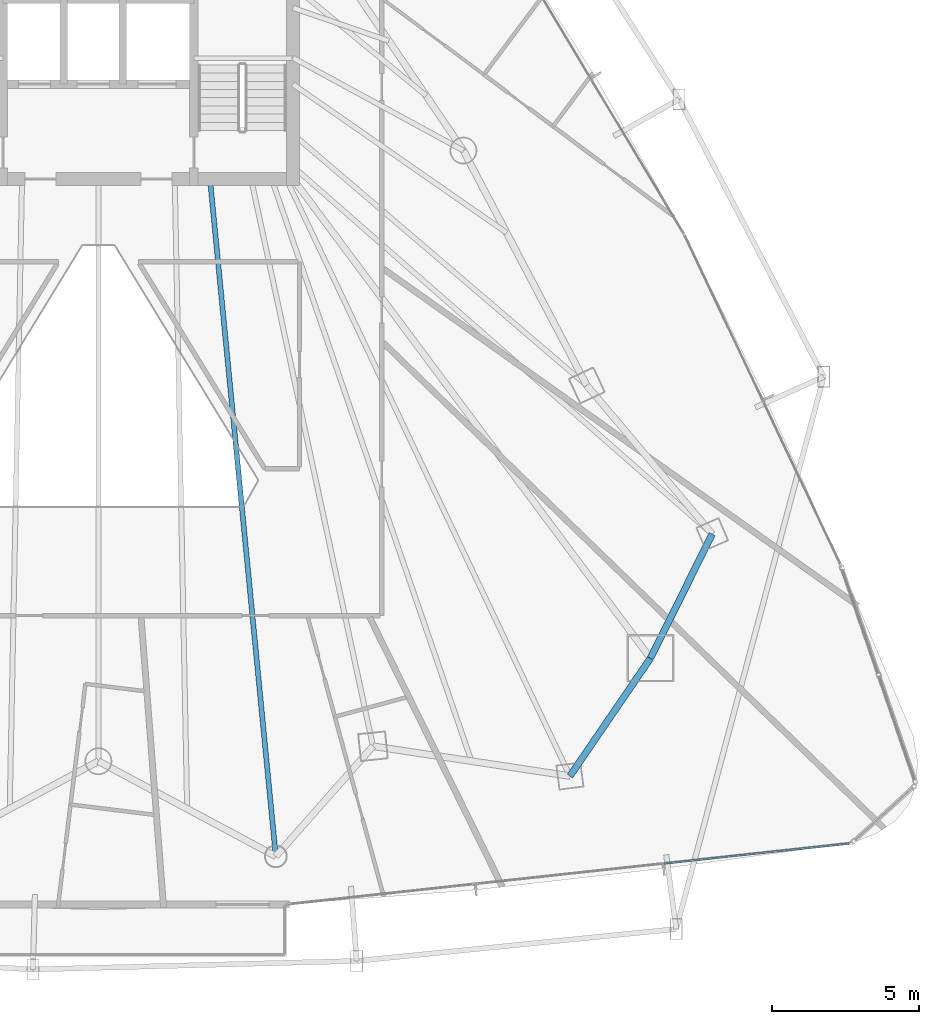
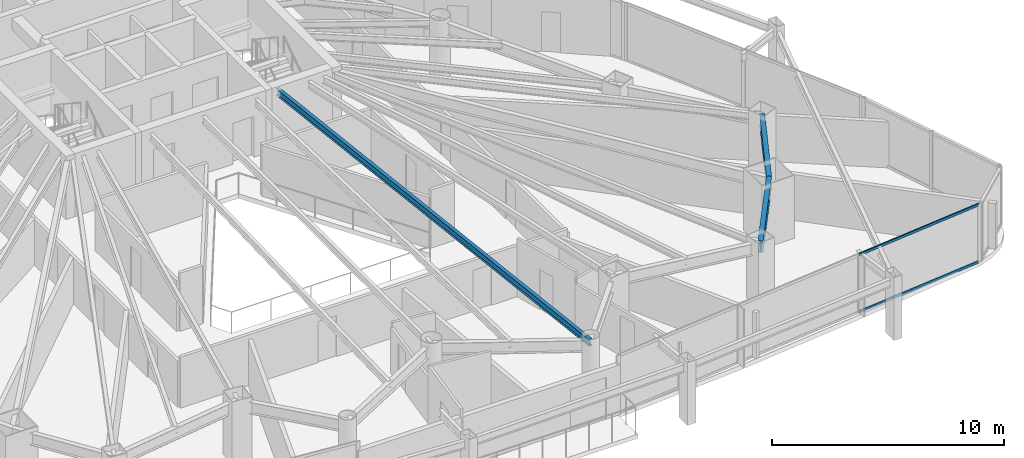
# One storey, part 13 of 34: 3 beams, 2 members, 1 element without a shape of its own.
"""IFC4 building model written with IfcOpenShell, lengths in metres."""

from ifc_helpers import new_model, si_unit, direction, frame, origin, origin_2d, place, context, subcontext, project, spatial, hollow_rectangle, i_section, extrude, material, layer, layer_set, material_profile, profile_set, type_object, element, aggregate, save


model = new_model("IFC4")

# Units and contexts
model_context = context("Model", 3, precision=1e-05, world=origin(), true_north=direction((0.0, 1.0)))
body_context = subcontext(model_context, "Body", "Model", "MODEL_VIEW")
ifc_project = project(units=[si_unit("LENGTHUNIT", "METRE"), si_unit("AREAUNIT", "SQUARE_METRE"), si_unit("VOLUMEUNIT", "CUBIC_METRE"), si_unit("PLANEANGLEUNIT", "RADIAN"), si_unit("MASSUNIT", "GRAM", prefix="KILO")], contexts=[model_context])

# Site, building, storey
site_placement = place(None, origin())
site = spatial("IfcSite", under=ifc_project, at=site_placement, CompositionType="ELEMENT")
building_placement = place(site_placement, origin())
building = spatial("IfcBuilding", under=site, at=building_placement, Name="Orvanel Arch Residences", CompositionType="ELEMENT")
storey_placement = place(building_placement, frame((0.0, 0.0, 64.25)))
storey = spatial("IfcBuildingStorey", under=building, at=storey_placement, Name="L17", CompositionType="ELEMENT", Elevation=64.25)

# Beams
ifc_material_1 = material(Name="Structural steel AS/NZS 3679.1 Grade 300 (300 MPa)", Category="steel")
ifc_material_profile_1 = material_profile(ifc_material_1, i_section(OverallWidth=0.1708984375, OverallDepth=0.35595703125, WebThickness=0.00732421875, FlangeThickness=0.011474609375, at=origin_2d()), Name="360UB50.7")
ifc_profile_set_1 = profile_set([ifc_material_profile_1], Name="Structural steel AS/NZS 3679.1 Grade 300 (300 MPa)")
beam_type_1 = type_object("IfcBeamType", Name="BJ-360UB", PredefinedType="JOIST", material=ifc_profile_set_1)
beam_1_placement = place(storey_placement, frame((36.800048828125, 26.675048828125, 2.882080078125), z_axis=(0.096724091756, -0.995311232768, 0.0), x_axis=(0.995311232768, 0.096724091756, 0.0)))
element("IfcBeam", 1, at=beam_1_placement, inside=storey, type_object=beam_type_1, Name="L17 LSE Wing Floor Joist", PredefinedType="JOIST", context=body_context, shape_type="SweptSolid", body=[
    extrude(i_section(OverallWidth=0.1708984375, OverallDepth=0.35595703125, WebThickness=0.00732421875, FlangeThickness=0.011474609375, at=origin_2d()), origin(), (0.0, 0.0, 1.0), 23.1787109375),
])
ifc_material_profile_2 = material_profile(ifc_material_1, i_section(OverallWidth=0.22900390625, OverallDepth=0.612060546875, WebThickness=0.011962890625, FlangeThickness=0.01953125, at=origin_2d()), Name="610UB125")
ifc_profile_set_2 = profile_set([ifc_material_profile_2], Name="Structural steel AS/NZS 3679.1 Grade 300 (300 MPa)")
beam_type_2 = type_object("IfcBeamType", Name="SP-610UB", PredefinedType="SPANDREL", material=ifc_profile_set_2)
beam_2_placement = place(storey_placement, frame((49.05908203125, 6.339111328125, 2.75390625), z_axis=(0.564251579852, 0.825602903722, 0.0), x_axis=(-0.825602903722, 0.564251579852, 0.0)))
element("IfcBeam", 2, at=beam_2_placement, inside=storey, type_object=beam_type_2, Name="L17 Perimeter Spandrel Beam 10", PredefinedType="SPANDREL", context=body_context, shape_type="SweptSolid", body=[
    extrude(i_section(OverallWidth=0.22900390625, OverallDepth=0.612060546875, WebThickness=0.011962890625, FlangeThickness=0.01953125, at=origin_2d()), origin(), (0.0, 0.0, 1.0), 4.859375),
])
beam_3_placement = place(storey_placement, frame((51.801025390625, 10.35107421875, 2.75390625), z_axis=(0.44543469453, 0.895314432425, 0.0), x_axis=(-0.895314432425, 0.44543469453, 0.0)))
element("IfcBeam", 3, at=beam_3_placement, inside=storey, type_object=beam_type_2, Name="L17 Perimeter Spandrel Beam 11", PredefinedType="SPANDREL", context=body_context, shape_type="SweptSolid", body=[
    extrude(i_section(OverallWidth=0.22900390625, OverallDepth=0.612060546875, WebThickness=0.011962890625, FlangeThickness=0.01953125, at=origin_2d()), origin(), (0.0, 0.0, 1.0), 4.723388671875),
])

# Curtain wall, members
ifc_material_2 = material(Name="Bronze-anodised aluminium AA6063-T6", Category="aluminium")
ifc_layer = layer(ifc_material_2, 0.179931640625)
ifc_layer_set = layer_set([ifc_layer], Name="Bronze-anodised aluminium AA6063-T6")
curtain_wall_type = type_object("IfcCurtainWallType", Name="CW2-LOW-SYS", PredefinedType="NOTDEFINED", material=ifc_layer_set)
curtain_wall_placement = place(storey_placement, origin())
curtain_wall = element("IfcCurtainWall", 4, at=curtain_wall_placement, inside=storey, type_object=curtain_wall_type, Name="L17 CW2-LOW-SYS Unitised Curtain Wall", PredefinedType="NOTDEFINED")
ifc_material_profile_3 = material_profile(ifc_material_2, hollow_rectangle(XDim=0.06005859375, YDim=0.135009765625, WallThickness=0.00390625, at=origin_2d()), Name="ALU135x60x4")
ifc_profile_set_3 = profile_set([ifc_material_profile_3], Name="Bronze-anodised aluminium AA6063-T6")
member_type = type_object("IfcMemberType", Name="TRN-135x60", PredefinedType="USERDEFINED", material=ifc_profile_set_3)
member_1_placement = place(storey_placement, frame((52.26708984375, 3.35986328125, 0.030029296875), z_axis=(0.994172701323, 0.10779907209, 0.0), x_axis=(-0.10779907209, 0.994172701323, 0.0)))
member_1 = element("IfcMember", 5, at=member_1_placement, type_object=member_type, Name="CW-S2 transom 3.1", ObjectType="TRANSOM", PredefinedType="USERDEFINED", context=body_context, shape_type="SweptSolid", body=[
    extrude(hollow_rectangle(XDim=0.06005859375, YDim=0.135009765625, WallThickness=0.00390625, at=origin_2d()), origin(), (0.0, 0.0, 1.0), 6.332275390625),
])
member_2_placement = place(storey_placement, frame((52.26708984375, 3.35986328125, 3.030029296875), z_axis=(0.994172701323, 0.10779907209, 0.0), x_axis=(-0.10779907209, 0.994172701323, 0.0)))
member_2 = element("IfcMember", 6, at=member_2_placement, type_object=member_type, Name="CW-S2 transom 3.2", ObjectType="TRANSOM", PredefinedType="USERDEFINED", context=body_context, shape_type="SweptSolid", body=[
    extrude(hollow_rectangle(XDim=0.06005859375, YDim=0.135009765625, WallThickness=0.00390625, at=origin_2d()), origin(), (0.0, 0.0, 1.0), 6.332275390625),
])
aggregate(curtain_wall, [member_1, member_2])

save(model, "model.ifc")
